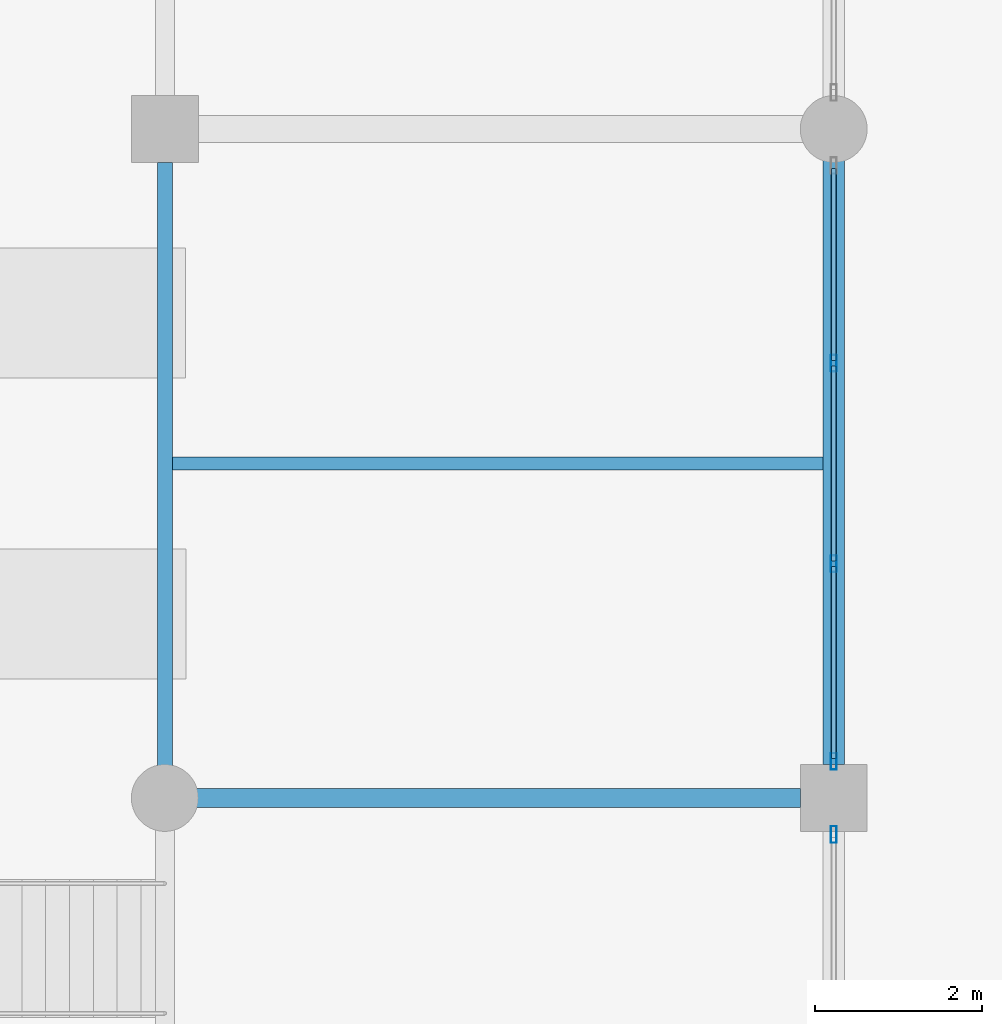
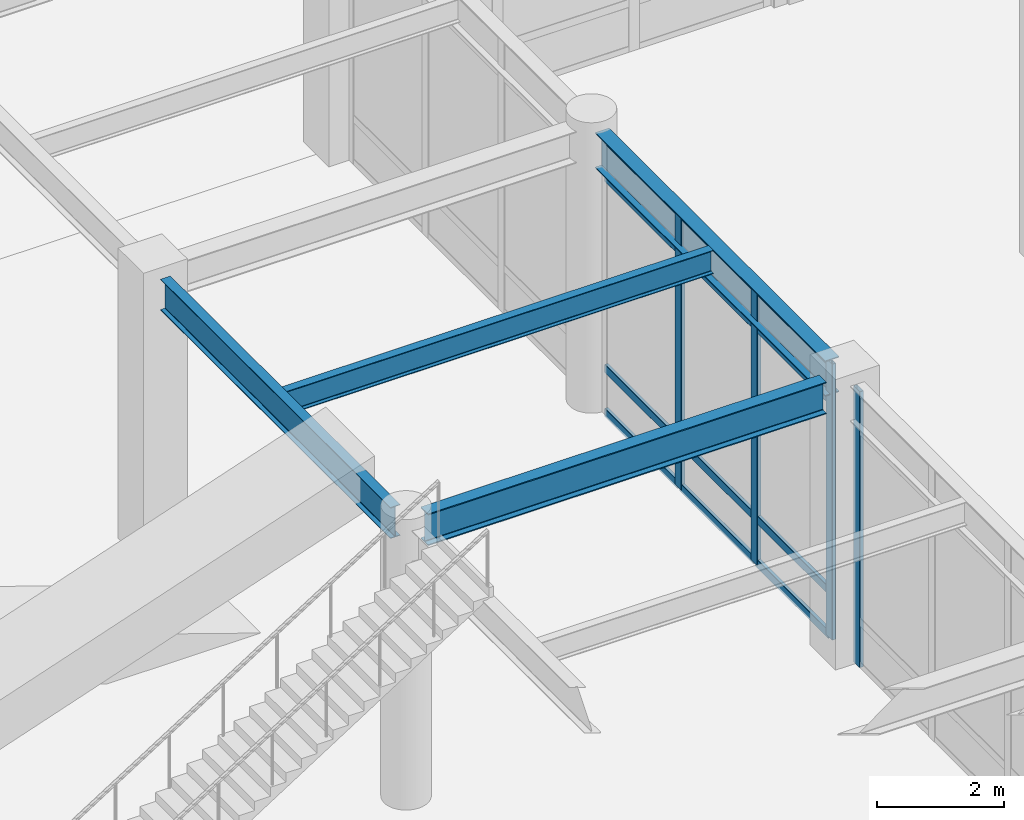
# One storey, part 54 of 128: 16 members, 4 beams, 2 elements without a shape of their own.
"""IFC4 building model written with IfcOpenShell, lengths in metres."""

from ifc_helpers import new_model, si_unit, direction, frame, origin, origin_2d, place, context, subcontext, project, spatial, hollow_rectangle, i_section, extrude, material, material_profile, profile_set, type_object, element, aggregate, save


model = new_model("IFC4")

# Units and contexts
model_context = context("Model", 3, precision=1e-05, world=origin(), true_north=direction((0.0, 1.0)))
body_context = subcontext(model_context, "Body", "Model", "MODEL_VIEW")
ifc_project = project(units=[si_unit("LENGTHUNIT", "METRE"), si_unit("AREAUNIT", "SQUARE_METRE"), si_unit("VOLUMEUNIT", "CUBIC_METRE"), si_unit("PLANEANGLEUNIT", "RADIAN"), si_unit("MASSUNIT", "GRAM", prefix="KILO")], contexts=[model_context])

# Site, building, storey
site_placement = place(None, origin())
site = spatial("IfcSite", under=ifc_project, at=site_placement, CompositionType="ELEMENT")
building_placement = place(site_placement, origin())
building = spatial("IfcBuilding", under=site, at=building_placement, Name="Solmirada Galleria", CompositionType="ELEMENT")
storey_placement = place(building_placement, origin())
storey = spatial("IfcBuildingStorey", under=building, at=storey_placement, Name="L00", CompositionType="ELEMENT", Elevation=0.0)

# Beams
ifc_material_1 = material(Name="Steel S355 / ASTM A992 Grade 50", Category="steel")
ifc_material_profile_1 = material_profile(ifc_material_1, i_section(OverallWidth=0.22900390625, OverallDepth=0.612060546875, WebThickness=0.011962890625, FlangeThickness=0.01953125, FilletRadius=0.014892578125, at=origin_2d()), Name="W24X84")
ifc_profile_set_1 = profile_set([ifc_material_profile_1], Name="Steel S355 / ASTM A992 Grade 50")
beam_type_1 = type_object("IfcBeamType", Name="BM-GIRD-W24B", PredefinedType="BEAM", material=ifc_profile_set_1)
beam_1_placement = place(storey_placement, frame((104.3359375, 56.0, 5.073974609375), z_axis=(1.0, 0.0, 0.0), x_axis=(0.0, 1.0, 0.0)))
element("IfcBeam", 1, at=beam_1_placement, inside=storey, type_object=beam_type_1, Name="Primary beam L01 X(104..112, 56)", PredefinedType="BEAM", context=body_context, shape_type="SweptSolid", body=[
    extrude(i_section(OverallWidth=0.22900390625, OverallDepth=0.612060546875, WebThickness=0.011962890625, FlangeThickness=0.01953125, FilletRadius=0.014892578125, at=origin_2d()), origin(), (0.0, 0.0, 1.0), 7.26416015625),
])
ifc_material_profile_2 = material_profile(ifc_material_1, i_section(OverallWidth=0.177978515625, OverallDepth=0.59912109375, WebThickness=0.010009765625, FlangeThickness=0.0126953125, FilletRadius=0.013916015625, at=origin_2d()), Name="W24X55")
ifc_profile_set_2 = profile_set([ifc_material_profile_2], Name="Steel S355 / ASTM A992 Grade 50")
beam_type_2 = type_object("IfcBeamType", Name="BM-GIRD-W24D", PredefinedType="BEAM", material=ifc_profile_set_2)
beam_2_placement = place(storey_placement, frame((104.0, 56.3359375, 5.08056640625), z_axis=(0.0, 1.0, 0.0), x_axis=(-1.0, 0.0, 0.0)))
element("IfcBeam", 2, at=beam_2_placement, inside=storey, type_object=beam_type_2, Name="Primary girder L01 Y(104, 56..64)", PredefinedType="BEAM", context=body_context, shape_type="SweptSolid", body=[
    extrude(i_section(OverallWidth=0.177978515625, OverallDepth=0.59912109375, WebThickness=0.010009765625, FlangeThickness=0.0126953125, FilletRadius=0.013916015625, at=origin_2d()), origin(), (0.0, 0.0, 1.0), 7.26416015625),
])
ifc_material_profile_3 = material_profile(ifc_material_1, i_section(OverallWidth=0.25390625, OverallDepth=0.68408203125, WebThickness=0.012451171875, FlangeThickness=0.018798828125, FilletRadius=0.01708984375, at=origin_2d()), Name="W27X94")
ifc_profile_set_3 = profile_set([ifc_material_profile_3], Name="Steel S355 / ASTM A992 Grade 50")
beam_type_3 = type_object("IfcBeamType", Name="BM-GIRD-W27B", PredefinedType="BEAM", material=ifc_profile_set_3)
beam_3_placement = place(storey_placement, frame((112.0, 56.39990234375, 5.0380859375), z_axis=(0.0, 1.0, 0.0), x_axis=(-1.0, 0.0, 0.0)))
element("IfcBeam", 3, at=beam_3_placement, inside=storey, type_object=beam_type_3, Name="Primary girder L01 Y(112, 56..64)", PredefinedType="BEAM", context=body_context, shape_type="SweptSolid", body=[
    extrude(i_section(OverallWidth=0.25390625, OverallDepth=0.68408203125, WebThickness=0.012451171875, FlangeThickness=0.018798828125, FilletRadius=0.01708984375, at=origin_2d()), origin(), (0.0, 0.0, 1.0), 7.26416015625),
])
ifc_material_profile_4 = material_profile(ifc_material_1, i_section(OverallWidth=0.153076171875, OverallDepth=0.455078125, WebThickness=0.008056640625, FlangeThickness=0.01318359375, FilletRadius=0.011962890625, at=origin_2d()), Name="W18X40")
ifc_profile_set_4 = profile_set([ifc_material_profile_4], Name="Steel S355 / ASTM A992 Grade 50")
beam_type_4 = type_object("IfcBeamType", Name="BM-JST-W18A", PredefinedType="JOIST", material=ifc_profile_set_4)
beam_4_placement = place(storey_placement, frame((104.089111328125, 60.0, 5.152587890625), z_axis=(1.0, 0.0, 0.0), x_axis=(0.0, 1.0, 0.0)))
element("IfcBeam", 4, at=beam_4_placement, inside=storey, type_object=beam_type_4, Name="Composite floor joist L01 (104..112, 60.0)", PredefinedType="JOIST", context=body_context, shape_type="SweptSolid", body=[
    extrude(i_section(OverallWidth=0.153076171875, OverallDepth=0.455078125, WebThickness=0.008056640625, FlangeThickness=0.01318359375, FilletRadius=0.011962890625, at=origin_2d()), origin(), (0.0, 0.0, 1.0), 7.783935546875),
])

# Curtain wall, members
ifc_material_2 = material(Name="Impact-resistant low-E double glazing", Category="glass")
curtain_wall_type = type_object("IfcCurtainWallType", Name="CW-FZ3-L00-B3-L072", PredefinedType="NOTDEFINED", material=ifc_material_2)
curtain_wall_1_placement = place(storey_placement, origin())
curtain_wall_1 = element("IfcCurtainWall", 5, at=curtain_wall_1_placement, inside=storey, type_object=curtain_wall_type, Name="Terrace and arcade storefront CW-L00-017", PredefinedType="NOTDEFINED")
ifc_material_3 = material(Name="Anodised aluminium framing", Category="aluminium")
ifc_material_profile_5 = material_profile(ifc_material_3, hollow_rectangle(XDim=0.070068359375, YDim=0.199951171875, WallThickness=0.004150390625, InnerFilletRadius=0.004150390625, OuterFilletRadius=0.00830078125, at=origin_2d()), Name="ALU-MULL-200X70")
ifc_profile_set_5 = profile_set([ifc_material_profile_5], Name="Anodised aluminium framing")
member_type_1 = type_object("IfcMemberType", Name="CW-MULL-200", PredefinedType="MULLION", material=ifc_profile_set_5)
member_1_placement = place(storey_placement, frame((112.0, 61.19921875, 0.0), z_axis=(0.0, 0.0, 1.0), x_axis=(1.0, 0.0, 0.0)))
member_1 = element("IfcMember", 6, at=member_1_placement, type_object=member_type_1, Name="CW01 mullion 2", PredefinedType="MULLION", context=body_context, shape_type="SweptSolid", body=[
    extrude(hollow_rectangle(XDim=0.070068359375, YDim=0.199951171875, WallThickness=0.004150390625, InnerFilletRadius=0.004150390625, OuterFilletRadius=0.00830078125, at=origin_2d()), origin(), (0.0, 0.0, 1.0), 5.320068359375),
])
member_2_placement = place(storey_placement, frame((112.0, 58.80078125, 0.0), z_axis=(0.0, 0.0, 1.0), x_axis=(1.0, 0.0, 0.0)))
member_2 = element("IfcMember", 7, at=member_2_placement, type_object=member_type_1, Name="CW01 mullion 3", PredefinedType="MULLION", context=body_context, shape_type="SweptSolid", body=[
    extrude(hollow_rectangle(XDim=0.070068359375, YDim=0.199951171875, WallThickness=0.004150390625, InnerFilletRadius=0.004150390625, OuterFilletRadius=0.00830078125, at=origin_2d()), origin(), (0.0, 0.0, 1.0), 5.320068359375),
])
member_3_placement = place(storey_placement, frame((112.0, 56.43701171875, 0.0), z_axis=(0.0, 0.0, 1.0), x_axis=(1.0, 0.0, 0.0)))
member_3 = element("IfcMember", 8, at=member_3_placement, type_object=member_type_1, Name="CW01 mullion 4", PredefinedType="MULLION", context=body_context, shape_type="SweptSolid", body=[
    extrude(hollow_rectangle(XDim=0.070068359375, YDim=0.199951171875, WallThickness=0.004150390625, InnerFilletRadius=0.004150390625, OuterFilletRadius=0.00830078125, at=origin_2d()), origin(), (0.0, 0.0, 1.0), 5.320068359375),
])

# Curtain wall, member
curtain_wall_2_placement = place(storey_placement, origin())
curtain_wall_2 = element("IfcCurtainWall", 9, at=curtain_wall_2_placement, inside=storey, type_object=curtain_wall_type, Name="Terrace and arcade storefront CW-L00-018", PredefinedType="NOTDEFINED")
member_4_placement = place(storey_placement, frame((112.0, 55.56298828125, 0.0), z_axis=(0.0, 0.0, 1.0), x_axis=(1.0, 0.0, 0.0)))
member_4 = element("IfcMember", 10, at=member_4_placement, type_object=member_type_1, Name="CW01 mullion 1", PredefinedType="MULLION", context=body_context, shape_type="SweptSolid", body=[
    extrude(hollow_rectangle(XDim=0.070068359375, YDim=0.199951171875, WallThickness=0.004150390625, InnerFilletRadius=0.004150390625, OuterFilletRadius=0.00830078125, at=origin_2d()), origin(), (0.0, 0.0, 1.0), 5.320068359375),
])
aggregate(curtain_wall_2, [member_4])

# Member
ifc_material_profile_6 = material_profile(ifc_material_3, hollow_rectangle(XDim=0.06494140625, YDim=0.159912109375, WallThickness=0.00390625, InnerFilletRadius=0.00390625, OuterFilletRadius=0.007568359375, at=origin_2d()), Name="ALU-TRAN-160X65")
ifc_profile_set_6 = profile_set([ifc_material_profile_6], Name="Anodised aluminium framing")
member_type_2 = type_object("IfcMemberType", Name="CW-TRAN-160", PredefinedType="USERDEFINED", material=ifc_profile_set_6)
member_5_placement = place(storey_placement, frame((112.0, 63.528076171875, 0.032470703125), z_axis=(0.0, -1.0, 0.0), x_axis=(1.0, 0.0, 0.0)))
member_5 = element("IfcMember", 11, at=member_5_placement, type_object=member_type_2, Name="CW01 transom 1.1", ObjectType="TRANSOM", PredefinedType="USERDEFINED", context=body_context, shape_type="SweptSolid", body=[
    extrude(hollow_rectangle(XDim=0.06494140625, YDim=0.159912109375, WallThickness=0.00390625, InnerFilletRadius=0.00390625, OuterFilletRadius=0.007568359375, at=origin_2d()), origin(), (0.0, 0.0, 1.0), 2.293701171875),
])

member_6_placement = place(storey_placement, frame((112.0, 63.528076171875, 0.8798828125), z_axis=(0.0, -1.0, 0.0), x_axis=(1.0, 0.0, 0.0)))
member_6 = element("IfcMember", 12, at=member_6_placement, type_object=member_type_2, Name="CW01 transom 1.2", ObjectType="TRANSOM", PredefinedType="USERDEFINED", context=body_context, shape_type="SweptSolid", body=[
    extrude(hollow_rectangle(XDim=0.06494140625, YDim=0.159912109375, WallThickness=0.00390625, InnerFilletRadius=0.00390625, OuterFilletRadius=0.007568359375, at=origin_2d()), origin(), (0.0, 0.0, 1.0), 2.293701171875),
])

member_7_placement = place(storey_placement, frame((112.0, 63.528076171875, 4.56005859375), z_axis=(0.0, -1.0, 0.0), x_axis=(1.0, 0.0, 0.0)))
member_7 = element("IfcMember", 13, at=member_7_placement, type_object=member_type_2, Name="CW01 transom 1.3", ObjectType="TRANSOM", PredefinedType="USERDEFINED", context=body_context, shape_type="SweptSolid", body=[
    extrude(hollow_rectangle(XDim=0.06494140625, YDim=0.159912109375, WallThickness=0.00390625, InnerFilletRadius=0.00390625, OuterFilletRadius=0.007568359375, at=origin_2d()), origin(), (0.0, 0.0, 1.0), 2.293701171875),
])

member_8_placement = place(storey_placement, frame((112.0, 63.528076171875, 5.28759765625), z_axis=(0.0, -1.0, 0.0), x_axis=(1.0, 0.0, 0.0)))
member_8 = element("IfcMember", 14, at=member_8_placement, type_object=member_type_2, Name="CW01 transom 1.4", ObjectType="TRANSOM", PredefinedType="USERDEFINED", context=body_context, shape_type="SweptSolid", body=[
    extrude(hollow_rectangle(XDim=0.06494140625, YDim=0.159912109375, WallThickness=0.00390625, InnerFilletRadius=0.00390625, OuterFilletRadius=0.007568359375, at=origin_2d()), origin(), (0.0, 0.0, 1.0), 2.293701171875),
])

member_9_placement = place(storey_placement, frame((112.0, 61.164306640625, 0.032470703125), z_axis=(0.0, -1.0, 0.0), x_axis=(1.0, 0.0, 0.0)))
member_9 = element("IfcMember", 15, at=member_9_placement, type_object=member_type_2, Name="CW01 transom 2.1", ObjectType="TRANSOM", PredefinedType="USERDEFINED", context=body_context, shape_type="SweptSolid", body=[
    extrude(hollow_rectangle(XDim=0.06494140625, YDim=0.159912109375, WallThickness=0.00390625, InnerFilletRadius=0.00390625, OuterFilletRadius=0.007568359375, at=origin_2d()), origin(), (0.0, 0.0, 1.0), 2.32861328125),
])

member_10_placement = place(storey_placement, frame((112.0, 61.164306640625, 0.8798828125), z_axis=(0.0, -1.0, 0.0), x_axis=(1.0, 0.0, 0.0)))
member_10 = element("IfcMember", 16, at=member_10_placement, type_object=member_type_2, Name="CW01 transom 2.2", ObjectType="TRANSOM", PredefinedType="USERDEFINED", context=body_context, shape_type="SweptSolid", body=[
    extrude(hollow_rectangle(XDim=0.06494140625, YDim=0.159912109375, WallThickness=0.00390625, InnerFilletRadius=0.00390625, OuterFilletRadius=0.007568359375, at=origin_2d()), origin(), (0.0, 0.0, 1.0), 2.32861328125),
])

member_11_placement = place(storey_placement, frame((112.0, 61.164306640625, 4.56005859375), z_axis=(0.0, -1.0, 0.0), x_axis=(1.0, 0.0, 0.0)))
member_11 = element("IfcMember", 17, at=member_11_placement, type_object=member_type_2, Name="CW01 transom 2.3", ObjectType="TRANSOM", PredefinedType="USERDEFINED", context=body_context, shape_type="SweptSolid", body=[
    extrude(hollow_rectangle(XDim=0.06494140625, YDim=0.159912109375, WallThickness=0.00390625, InnerFilletRadius=0.00390625, OuterFilletRadius=0.007568359375, at=origin_2d()), origin(), (0.0, 0.0, 1.0), 2.32861328125),
])

member_12_placement = place(storey_placement, frame((112.0, 61.164306640625, 5.28759765625), z_axis=(0.0, -1.0, 0.0), x_axis=(1.0, 0.0, 0.0)))
member_12 = element("IfcMember", 18, at=member_12_placement, type_object=member_type_2, Name="CW01 transom 2.4", ObjectType="TRANSOM", PredefinedType="USERDEFINED", context=body_context, shape_type="SweptSolid", body=[
    extrude(hollow_rectangle(XDim=0.06494140625, YDim=0.159912109375, WallThickness=0.00390625, InnerFilletRadius=0.00390625, OuterFilletRadius=0.007568359375, at=origin_2d()), origin(), (0.0, 0.0, 1.0), 2.32861328125),
])

member_13_placement = place(storey_placement, frame((112.0, 58.765625, 0.032470703125), z_axis=(0.0, -1.0, 0.0), x_axis=(1.0, 0.0, 0.0)))
member_13 = element("IfcMember", 19, at=member_13_placement, type_object=member_type_2, Name="CW01 transom 3.1", ObjectType="TRANSOM", PredefinedType="USERDEFINED", context=body_context, shape_type="SweptSolid", body=[
    extrude(hollow_rectangle(XDim=0.06494140625, YDim=0.159912109375, WallThickness=0.00390625, InnerFilletRadius=0.00390625, OuterFilletRadius=0.007568359375, at=origin_2d()), origin(), (0.0, 0.0, 1.0), 2.293701171875),
])

member_14_placement = place(storey_placement, frame((112.0, 58.765625, 0.8798828125), z_axis=(0.0, -1.0, 0.0), x_axis=(1.0, 0.0, 0.0)))
member_14 = element("IfcMember", 20, at=member_14_placement, type_object=member_type_2, Name="CW01 transom 3.2", ObjectType="TRANSOM", PredefinedType="USERDEFINED", context=body_context, shape_type="SweptSolid", body=[
    extrude(hollow_rectangle(XDim=0.06494140625, YDim=0.159912109375, WallThickness=0.00390625, InnerFilletRadius=0.00390625, OuterFilletRadius=0.007568359375, at=origin_2d()), origin(), (0.0, 0.0, 1.0), 2.293701171875),
])

member_15_placement = place(storey_placement, frame((112.0, 58.765625, 4.56005859375), z_axis=(0.0, -1.0, 0.0), x_axis=(1.0, 0.0, 0.0)))
member_15 = element("IfcMember", 21, at=member_15_placement, type_object=member_type_2, Name="CW01 transom 3.3", ObjectType="TRANSOM", PredefinedType="USERDEFINED", context=body_context, shape_type="SweptSolid", body=[
    extrude(hollow_rectangle(XDim=0.06494140625, YDim=0.159912109375, WallThickness=0.00390625, InnerFilletRadius=0.00390625, OuterFilletRadius=0.007568359375, at=origin_2d()), origin(), (0.0, 0.0, 1.0), 2.293701171875),
])

member_16_placement = place(storey_placement, frame((112.0, 58.765625, 5.28759765625), z_axis=(0.0, -1.0, 0.0), x_axis=(1.0, 0.0, 0.0)))
member_16 = element("IfcMember", 22, at=member_16_placement, type_object=member_type_2, Name="CW01 transom 3.4", ObjectType="TRANSOM", PredefinedType="USERDEFINED", context=body_context, shape_type="SweptSolid", body=[
    extrude(hollow_rectangle(XDim=0.06494140625, YDim=0.159912109375, WallThickness=0.00390625, InnerFilletRadius=0.00390625, OuterFilletRadius=0.007568359375, at=origin_2d()), origin(), (0.0, 0.0, 1.0), 2.293701171875),
])

aggregate(curtain_wall_1, [member_1, member_2, member_3, member_5, member_6, member_7, member_8, member_9, member_10, member_11, member_12, member_13, member_14, member_15, member_16])

save(model, "model.ifc")
